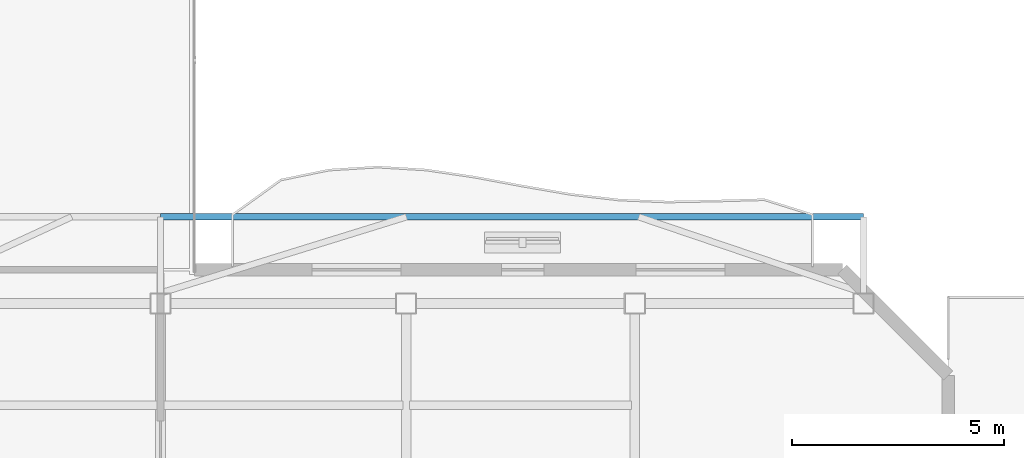
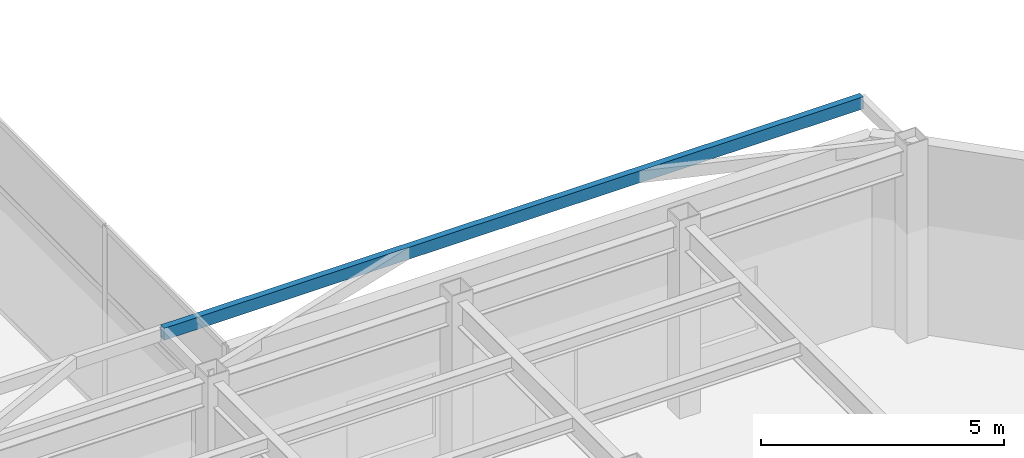
# One storey, part 11 of 23: 1 beam.
"""IFC4 building model written with IfcOpenShell, lengths in metres."""

from ifc_helpers import new_model, si_unit, direction, frame, origin, origin_2d, place, context, subcontext, project, spatial, hollow_rectangle, extrude, material, material_profile, profile_set, type_object, element, save


model = new_model("IFC4")

# Units and contexts
model_context = context("Model", 3, precision=1e-05, world=origin(), true_north=direction((0.0, 1.0)))
body_context = subcontext(model_context, "Body", "Model", "MODEL_VIEW")
ifc_project = project(units=[si_unit("LENGTHUNIT", "METRE"), si_unit("AREAUNIT", "SQUARE_METRE"), si_unit("VOLUMEUNIT", "CUBIC_METRE"), si_unit("PLANEANGLEUNIT", "RADIAN"), si_unit("MASSUNIT", "GRAM", prefix="KILO")], contexts=[model_context])

# Site, building, storey
site_placement = place(None, origin())
site = spatial("IfcSite", under=ifc_project, at=site_placement, CompositionType="ELEMENT")
building_placement = place(site_placement, origin())
building = spatial("IfcBuilding", under=site, at=building_placement, Name="Mawjaban Terraces University", CompositionType="ELEMENT")
storey_placement = place(building_placement, frame((0.0, 0.0, 98.39990234375)))
storey = spatial("IfcBuildingStorey", under=building, at=storey_placement, Name="L23", CompositionType="ELEMENT", Elevation=98.39990234375)

# Beam
ifc_material = material(Name="Steel EN 10210-1 S355J2H", Category="steel")
ifc_material_profile = material_profile(ifc_material, hollow_rectangle(XDim=0.14990234375, YDim=0.300048828125, WallThickness=0.012451171875, at=origin_2d()), Name="RHS300X150X12.5")
ifc_profile_set = profile_set([ifc_material_profile], Name="Steel EN 10210-1 S355J2H")
beam_type = type_object("IfcBeamType", Name="BalconyCantileverSpandrel_RHS", PredefinedType="SPANDREL", material=ifc_profile_set)
beam_placement = place(storey_placement, frame((52.0, 17.25, 4.64013671875), z_axis=(1.0, 0.0, 0.0), x_axis=(0.0, 1.0, 0.0)))
element("IfcBeam", 1, at=beam_placement, inside=storey, type_object=beam_type, Name="L23 Exterior Edge Spandrel BAL-L24-N", PredefinedType="SPANDREL", context=body_context, shape_type="SweptSolid", body=[
    extrude(hollow_rectangle(XDim=0.14990234375, YDim=0.300048828125, WallThickness=0.012451171875, at=origin_2d()), origin(), (0.0, 0.0, 1.0), 16.60009765625),
])

save(model, "model.ifc")
